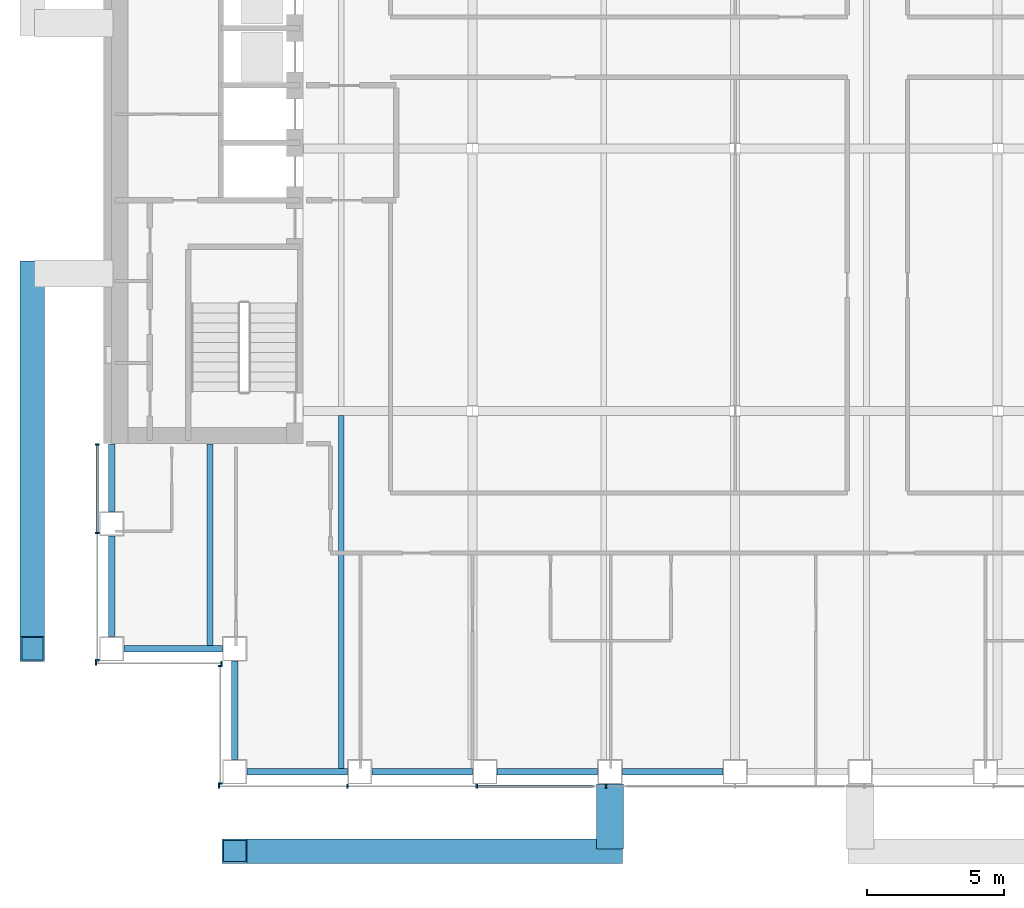
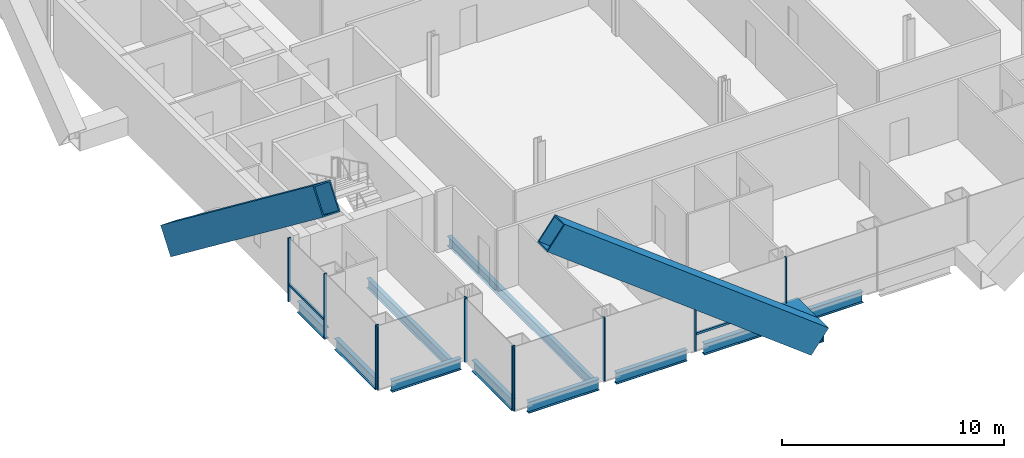
# One storey, part 2 of 17: 15 members, 11 beams, 4 elements without a shape of their own.
"""IFC4 building model written with IfcOpenShell, lengths in metres."""

from ifc_helpers import new_model, si_unit, direction, frame, origin, origin_2d, place, context, subcontext, project, spatial, rectangle, hollow_rectangle, i_section, extrude, material, material_profile, profile_set, type_object, element, aggregate, save


model = new_model("IFC4")

# Units and contexts
model_context = context("Model", 3, precision=1e-05, world=origin(), true_north=direction((0.0, 1.0)))
body_context = subcontext(model_context, "Body", "Model", "MODEL_VIEW")
ifc_project = project(units=[si_unit("LENGTHUNIT", "METRE"), si_unit("AREAUNIT", "SQUARE_METRE"), si_unit("VOLUMEUNIT", "CUBIC_METRE"), si_unit("PLANEANGLEUNIT", "RADIAN"), si_unit("MASSUNIT", "GRAM", prefix="KILO")], contexts=[model_context])

# Site, building, storey
site_placement = place(None, origin())
site = spatial("IfcSite", under=ifc_project, at=site_placement, CompositionType="ELEMENT")
building_placement = place(site_placement, origin())
building = spatial("IfcBuilding", under=site, at=building_placement, Name="Cobrizo Arcos Hotel Tower", CompositionType="ELEMENT")
storey_placement = place(building_placement, frame((0.0, 0.0, 106.5)))
storey = spatial("IfcBuildingStorey", under=building, at=storey_placement, Name="L26", CompositionType="ELEMENT", Elevation=106.5)

# Beam
ifc_material_1 = material(Name="Steel ASTM A572 Grade 50", Category="steel")
ifc_material_profile_1 = material_profile(ifc_material_1, hollow_rectangle(XDim=1.0, YDim=1.0, WallThickness=0.06005859375, at=origin_2d()), Name="BOX 1000X1000X60")
ifc_profile_set_1 = profile_set([ifc_material_profile_1], Name="Steel ASTM A572 Grade 50")
beam_type_1 = type_object("IfcBeamType", Name="BOX 1000X1000X60 brace connector strut", PredefinedType="BEAM", material=ifc_profile_set_1)
beam_1_placement = place(storey_placement, frame((-4.574951171875, -23.239990234375, 0.5), z_axis=(0.0, -1.0, 0.0), x_axis=(1.0, 0.0, 0.0)))
element("IfcBeam", 1, at=beam_1_placement, inside=storey, type_object=beam_type_1, Name="Perimeter brace stub BS1, zone Z2, south face, offset -4.58 m, L26", PredefinedType="BEAM", context=body_context, shape_type="SweptSolid", body=[
    extrude(hollow_rectangle(XDim=1.0, YDim=1.0, WallThickness=0.06005859375, at=origin_2d()), origin(), (0.0, 0.0, 1.0), 2.380126953125),
])

# Members
ifc_material_profile_2 = material_profile(ifc_material_1, hollow_rectangle(XDim=0.89990234375, YDim=1.5, WallThickness=0.06494140625, at=origin_2d()), Name="BOX 900X1500X65")
ifc_profile_set_2 = profile_set([ifc_material_profile_2], Name="Steel ASTM A572 Grade 50")
member_type_1 = type_object("IfcMemberType", Name="BOX 900X1500X65 perimeter brace", PredefinedType="BRACE", material=ifc_profile_set_2)
for number, where, z_axis, x_axis, name in (
    (2, (-4.574951171875, -25.699951171875, 0.5), (-0.794236712941, 0.0, 0.607608462595), (0.0, -1.0, 0.0), "Perimeter brace PBR2, zone Z2, south face, no. 02"),
    (3, (-25.699951171875, -4.574951171875, 0.5), (0.0, -0.794236712941, 0.607608462595), (1.0, 0.0, 0.0), "Perimeter brace PBR2, zone Z2, west face, no. 03"),
):
    element("IfcMember", number, at=place(storey_placement, frame(where, z_axis=z_axis, x_axis=x_axis)), inside=storey, type_object=member_type_1, Name=name, PredefinedType="BRACE", context=body_context, shape_type="SweptSolid", body=[
        extrude(hollow_rectangle(XDim=0.89990234375, YDim=1.5, WallThickness=0.06494140625, at=origin_2d()), origin(), (0.0, 0.0, 1.0), 17.28076171875),
    ])

# Curtain wall, members
ifc_material_2 = material(Name="Aluminium 6063-T6 anodised bronze", Category="aluminium")
curtain_wall_type = type_object("IfcCurtainWallType", Name="CW-A guest facade", PredefinedType="NOTDEFINED", material=ifc_material_2)
curtain_wall_1_placement = place(storey_placement, origin())
curtain_wall_1 = element("IfcCurtainWall", 4, at=curtain_wall_1_placement, inside=storey, type_object=curtain_wall_type, Name="CW-A L26 S face", PredefinedType="NOTDEFINED")
ifc_material_profile_3 = material_profile(ifc_material_2, rectangle(XDim=0.14990234375, YDim=0.06005859375, at=origin_2d()), Name="CW-A mullion 150x60")
ifc_profile_set_3 = profile_set([ifc_material_profile_3], Name="Aluminium 6063-T6 anodised bronze")
member_type_2 = type_object("IfcMemberType", Name="CW-A mullion 150x60", PredefinedType="MULLION", material=ifc_profile_set_3)
member_1_placement = place(storey_placement, frame((-18.8701171875, -23.324951171875, 0.0), z_axis=(0.0, 0.0, 1.0), x_axis=(0.0, -1.0, 0.0)))
member_1 = element("IfcMember", 5, at=member_1_placement, type_object=member_type_2, Name="CW-A mullion 1", PredefinedType="MULLION", context=body_context, shape_type="SweptSolid", body=[
    extrude(rectangle(XDim=0.14990234375, YDim=0.06005859375, at=origin_2d()), origin(), (0.0, 0.0, 1.0), 3.5),
])
member_2_placement = place(storey_placement, frame((-14.175048828125, -23.324951171875, 0.0), z_axis=(0.0, 0.0, 1.0), x_axis=(0.0, -1.0, 0.0)))
member_2 = element("IfcMember", 6, at=member_2_placement, type_object=member_type_2, Name="CW-A mullion 2", PredefinedType="MULLION", context=body_context, shape_type="SweptSolid", body=[
    extrude(rectangle(XDim=0.14990234375, YDim=0.06005859375, at=origin_2d()), origin(), (0.0, 0.0, 1.0), 3.5),
])
member_3_placement = place(storey_placement, frame((-9.449951171875, -23.324951171875, 0.0), z_axis=(0.0, 0.0, 1.0), x_axis=(0.0, -1.0, 0.0)))
member_3 = element("IfcMember", 7, at=member_3_placement, type_object=member_type_2, Name="CW-A mullion 3", PredefinedType="MULLION", context=body_context, shape_type="SweptSolid", body=[
    extrude(rectangle(XDim=0.14990234375, YDim=0.06005859375, at=origin_2d()), origin(), (0.0, 0.0, 1.0), 3.5),
])
member_4_placement = place(storey_placement, frame((-4.72509765625, -23.324951171875, 0.0), z_axis=(0.0, 0.0, 1.0), x_axis=(0.0, -1.0, 0.0)))
member_4 = element("IfcMember", 8, at=member_4_placement, type_object=member_type_2, Name="CW-A mullion 4", PredefinedType="MULLION", context=body_context, shape_type="SweptSolid", body=[
    extrude(rectangle(XDim=0.14990234375, YDim=0.06005859375, at=origin_2d()), origin(), (0.0, 0.0, 1.0), 3.5),
])

curtain_wall_2_placement = place(storey_placement, origin())
curtain_wall_2 = element("IfcCurtainWall", 9, at=curtain_wall_2_placement, inside=storey, type_object=curtain_wall_type, Name="CW-A L26 W face", PredefinedType="NOTDEFINED")
member_5_placement = place(storey_placement, frame((-23.324951171875, -10.830078125, 0.0), z_axis=(0.0, 0.0, 1.0), x_axis=(-1.0, 0.0, 0.0)))
member_5 = element("IfcMember", 10, at=member_5_placement, type_object=member_type_2, Name="CW-A mullion 1", PredefinedType="MULLION", context=body_context, shape_type="SweptSolid", body=[
    extrude(rectangle(XDim=0.14990234375, YDim=0.06005859375, at=origin_2d()), origin(), (0.0, 0.0, 1.0), 3.5),
])
member_6_placement = place(storey_placement, frame((-23.324951171875, -14.0625, 0.0), z_axis=(0.0, 0.0, 1.0), x_axis=(-1.0, 0.0, 0.0)))
member_6 = element("IfcMember", 11, at=member_6_placement, type_object=member_type_2, Name="CW-A mullion 2", PredefinedType="MULLION", context=body_context, shape_type="SweptSolid", body=[
    extrude(rectangle(XDim=0.14990234375, YDim=0.06005859375, at=origin_2d()), origin(), (0.0, 0.0, 1.0), 3.5),
])
member_7_placement = place(storey_placement, frame((-23.324951171875, -18.719970703125, 0.0), z_axis=(0.0, 0.0, 1.0), x_axis=(-1.0, 0.0, 0.0)))
member_7 = element("IfcMember", 12, at=member_7_placement, type_object=member_type_2, Name="CW-A mullion 3", PredefinedType="MULLION", context=body_context, shape_type="SweptSolid", body=[
    extrude(rectangle(XDim=0.14990234375, YDim=0.06005859375, at=origin_2d()), origin(), (0.0, 0.0, 1.0), 3.5),
])

curtain_wall_3_placement = place(storey_placement, origin())
curtain_wall_3 = element("IfcCurtainWall", 13, at=curtain_wall_3_placement, inside=storey, type_object=curtain_wall_type, Name="CW-A L26 S face", PredefinedType="NOTDEFINED")
member_8_placement = place(storey_placement, frame((-23.3701171875, -18.824951171875, 0.0), z_axis=(0.0, 0.0, 1.0), x_axis=(0.0, -1.0, 0.0)))
member_8 = element("IfcMember", 14, at=member_8_placement, type_object=member_type_2, Name="CW-A mullion 1", PredefinedType="MULLION", context=body_context, shape_type="SweptSolid", body=[
    extrude(rectangle(XDim=0.14990234375, YDim=0.06005859375, at=origin_2d()), origin(), (0.0, 0.0, 1.0), 3.5),
])
member_9_placement = place(storey_placement, frame((-18.780029296875, -18.824951171875, 0.0), z_axis=(0.0, 0.0, 1.0), x_axis=(0.0, -1.0, 0.0)))
member_9 = element("IfcMember", 15, at=member_9_placement, type_object=member_type_2, Name="CW-A mullion 2", PredefinedType="MULLION", context=body_context, shape_type="SweptSolid", body=[
    extrude(rectangle(XDim=0.14990234375, YDim=0.06005859375, at=origin_2d()), origin(), (0.0, 0.0, 1.0), 3.5),
])
aggregate(curtain_wall_3, [member_8, member_9])

curtain_wall_4_placement = place(storey_placement, origin())
curtain_wall_4 = element("IfcCurtainWall", 16, at=curtain_wall_4_placement, inside=storey, type_object=curtain_wall_type, Name="CW-A L26 W face", PredefinedType="NOTDEFINED")
member_10_placement = place(storey_placement, frame((-18.824951171875, -18.929931640625, 0.0), z_axis=(0.0, 0.0, 1.0), x_axis=(-1.0, 0.0, 0.0)))
member_10 = element("IfcMember", 17, at=member_10_placement, type_object=member_type_2, Name="CW-A mullion 1", PredefinedType="MULLION", context=body_context, shape_type="SweptSolid", body=[
    extrude(rectangle(XDim=0.14990234375, YDim=0.06005859375, at=origin_2d()), origin(), (0.0, 0.0, 1.0), 3.5),
])
member_11_placement = place(storey_placement, frame((-18.824951171875, -23.219970703125, 0.0), z_axis=(0.0, 0.0, 1.0), x_axis=(-1.0, 0.0, 0.0)))
member_11 = element("IfcMember", 18, at=member_11_placement, type_object=member_type_2, Name="CW-A mullion 2", PredefinedType="MULLION", context=body_context, shape_type="SweptSolid", body=[
    extrude(rectangle(XDim=0.14990234375, YDim=0.06005859375, at=origin_2d()), origin(), (0.0, 0.0, 1.0), 3.5),
])
aggregate(curtain_wall_4, [member_10, member_11])

# Member
ifc_material_profile_4 = material_profile(ifc_material_2, rectangle(XDim=0.10009765625, YDim=0.1201171875, at=origin_2d()), Name="CW-A transom 120x100")
ifc_profile_set_4 = profile_set([ifc_material_profile_4], Name="Aluminium 6063-T6 anodised bronze")
member_type_3 = type_object("IfcMemberType", Name="CW-A transom 120x100", PredefinedType="USERDEFINED", material=ifc_profile_set_4)
member_12_placement = place(storey_placement, frame((-9.419921875, -23.324951171875, 0.929931640625), z_axis=(1.0, 0.0, 0.0), x_axis=(0.0, 1.0, 0.0)))
member_12 = element("IfcMember", 19, at=member_12_placement, type_object=member_type_3, Name="CW-A transom 1013", ObjectType="TRANSOM", PredefinedType="USERDEFINED", context=body_context, shape_type="SweptSolid", body=[
    extrude(rectangle(XDim=0.10009765625, YDim=0.1201171875, at=origin_2d()), origin(), (0.0, 0.0, 1.0), 4.244873046875),
])

aggregate(curtain_wall_1, [member_1, member_2, member_3, member_4, member_12])

member_13_placement = place(storey_placement, frame((-23.324951171875, -10.860107421875, 0.929931640625), z_axis=(0.0, -1.0, 0.0), x_axis=(1.0, 0.0, 0.0)))
member_13 = element("IfcMember", 20, at=member_13_placement, type_object=member_type_3, Name="CW-A transom 1039", ObjectType="TRANSOM", PredefinedType="USERDEFINED", context=body_context, shape_type="SweptSolid", body=[
    extrude(rectangle(XDim=0.10009765625, YDim=0.1201171875, at=origin_2d()), origin(), (0.0, 0.0, 1.0), 3.17236328125),
])

aggregate(curtain_wall_2, [member_5, member_6, member_7, member_13])

# Beams
ifc_material_3 = material(Name="Steel ASTM A992 Grade 50", Category="steel")
ifc_material_profile_5 = material_profile(ifc_material_3, i_section(OverallWidth=0.209228515625, OverallDepth=0.533447265625, WebThickness=0.01025390625, FlangeThickness=0.015625, at=origin_2d()), Name="W21X62")
ifc_profile_set_5 = profile_set([ifc_material_profile_5], Name="Steel ASTM A992 Grade 50")
beam_type_2 = type_object("IfcBeamType", Name="W21X62 joist", PredefinedType="JOIST", material=ifc_profile_set_5)
beam_2_placement = place(storey_placement, frame((-19.199951171875, -18.2099609375, -0.416748046875), z_axis=(0.0, 1.0, 0.0), x_axis=(-1.0, 0.0, 0.0)))
element("IfcBeam", 21, at=beam_2_placement, inside=storey, type_object=beam_type_2, Name="Floor joist J1, L26, no. 001", PredefinedType="JOIST", context=body_context, shape_type="SweptSolid", body=[
    extrude(i_section(OverallWidth=0.209228515625, OverallDepth=0.533447265625, WebThickness=0.01025390625, FlangeThickness=0.015625, at=origin_2d()), origin(), (0.0, 0.0, 1.0), 7.39990234375),
])
beam_3_placement = place(storey_placement, frame((-14.39990234375, -22.7099609375, -0.416748046875), z_axis=(0.0, 1.0, 0.0), x_axis=(-1.0, 0.0, 0.0)))
element("IfcBeam", 22, at=beam_3_placement, inside=storey, type_object=beam_type_2, Name="Floor joist J1, L26, no. 003", PredefinedType="JOIST", context=body_context, shape_type="SweptSolid", body=[
    extrude(i_section(OverallWidth=0.209228515625, OverallDepth=0.533447265625, WebThickness=0.01025390625, FlangeThickness=0.015625, at=origin_2d()), origin(), (0.0, 0.0, 1.0), 12.946044921875),
])
ifc_material_profile_6 = material_profile(ifc_material_3, i_section(OverallWidth=0.23046875, OverallDepth=0.6171875, WebThickness=0.01318359375, FlangeThickness=0.022216796875, at=origin_2d()), Name="W24X94")
ifc_profile_set_6 = profile_set([ifc_material_profile_6], Name="Steel ASTM A992 Grade 50")
beam_type_3 = type_object("IfcBeamType", Name="W24X94 spandrel", PredefinedType="SPANDREL", material=ifc_profile_set_6)
beam_4_placement = place(storey_placement, frame((-17.85009765625, -22.800048828125, -0.45849609375), z_axis=(1.0, 0.0, 0.0), x_axis=(0.0, 1.0, 0.0)))
element("IfcBeam", 23, at=beam_4_placement, inside=storey, type_object=beam_type_3, Name="Spandrel beam W24X94, L26, no. 001", PredefinedType="SPANDREL", context=body_context, shape_type="SweptSolid", body=[
    extrude(i_section(OverallWidth=0.23046875, OverallDepth=0.6171875, WebThickness=0.01318359375, FlangeThickness=0.022216796875, at=origin_2d()), origin(), (0.0, 0.0, 1.0), 3.675048828125),
])
beam_5_placement = place(storey_placement, frame((-13.27490234375, -22.800048828125, -0.45849609375), z_axis=(1.0, 0.0, 0.0), x_axis=(0.0, 1.0, 0.0)))
element("IfcBeam", 24, at=beam_5_placement, inside=storey, type_object=beam_type_3, Name="Spandrel beam W24X94, L26, no. 002", PredefinedType="SPANDREL", context=body_context, shape_type="SweptSolid", body=[
    extrude(i_section(OverallWidth=0.23046875, OverallDepth=0.6171875, WebThickness=0.01318359375, FlangeThickness=0.022216796875, at=origin_2d()), origin(), (0.0, 0.0, 1.0), 3.6748046875),
])
for number, where, z_axis, x_axis, name in (
    (25, (-8.699951171875, -22.800048828125, -0.45849609375), (1.0, 0.0, 0.0), (0.0, 1.0, 0.0), "Spandrel beam W24X94, L26, no. 003"),
    (26, (-4.125, -22.800048828125, -0.45849609375), (1.0, 0.0, 0.0), (0.0, 1.0, 0.0), "Spandrel beam W24X94, L26, no. 004"),
):
    element("IfcBeam", number, at=place(storey_placement, frame(where, z_axis=z_axis, x_axis=x_axis)), inside=storey, type_object=beam_type_3, Name=name, PredefinedType="SPANDREL", context=body_context, shape_type="SweptSolid", body=[
        extrude(i_section(OverallWidth=0.23046875, OverallDepth=0.6171875, WebThickness=0.01318359375, FlangeThickness=0.022216796875, at=origin_2d()), origin(), (0.0, 0.0, 1.0), 3.675048828125),
    ])
beam_6_placement = place(storey_placement, frame((-22.800048828125, -10.81005859375, -0.45849609375), z_axis=(0.0, -1.0, 0.0), x_axis=(1.0, 0.0, 0.0)))
element("IfcBeam", 27, at=beam_6_placement, inside=storey, type_object=beam_type_3, Name="Spandrel beam W24X94, L26, no. 029", PredefinedType="SPANDREL", context=body_context, shape_type="SweptSolid", body=[
    extrude(i_section(OverallWidth=0.23046875, OverallDepth=0.6171875, WebThickness=0.01318359375, FlangeThickness=0.022216796875, at=origin_2d()), origin(), (0.0, 0.0, 1.0), 2.46484375),
])
beam_7_placement = place(storey_placement, frame((-22.800048828125, -14.175048828125, -0.45849609375), z_axis=(0.0, -1.0, 0.0), x_axis=(1.0, 0.0, 0.0)))
element("IfcBeam", 28, at=beam_7_placement, inside=storey, type_object=beam_type_3, Name="Spandrel beam W24X94, L26, no. 030", PredefinedType="SPANDREL", context=body_context, shape_type="SweptSolid", body=[
    extrude(i_section(OverallWidth=0.23046875, OverallDepth=0.6171875, WebThickness=0.01318359375, FlangeThickness=0.022216796875, at=origin_2d()), origin(), (0.0, 0.0, 1.0), 3.675048828125),
])
for number, where, z_axis, x_axis, name in (
    (29, (-22.35009765625, -18.300048828125, -0.45849609375), (1.0, 0.0, 0.0), (0.0, 1.0, 0.0), "Spandrel beam W24X94, L26, no. 031"),
    (30, (-18.300048828125, -18.75, -0.45849609375), (0.0, -1.0, 0.0), (1.0, 0.0, 0.0), "Spandrel beam W24X94, L26, no. 032"),
):
    element("IfcBeam", number, at=place(storey_placement, frame(where, z_axis=z_axis, x_axis=x_axis)), inside=storey, type_object=beam_type_3, Name=name, PredefinedType="SPANDREL", context=body_context, shape_type="SweptSolid", body=[
        extrude(i_section(OverallWidth=0.23046875, OverallDepth=0.6171875, WebThickness=0.01318359375, FlangeThickness=0.022216796875, at=origin_2d()), origin(), (0.0, 0.0, 1.0), 3.60009765625),
    ])

save(model, "model.ifc")
